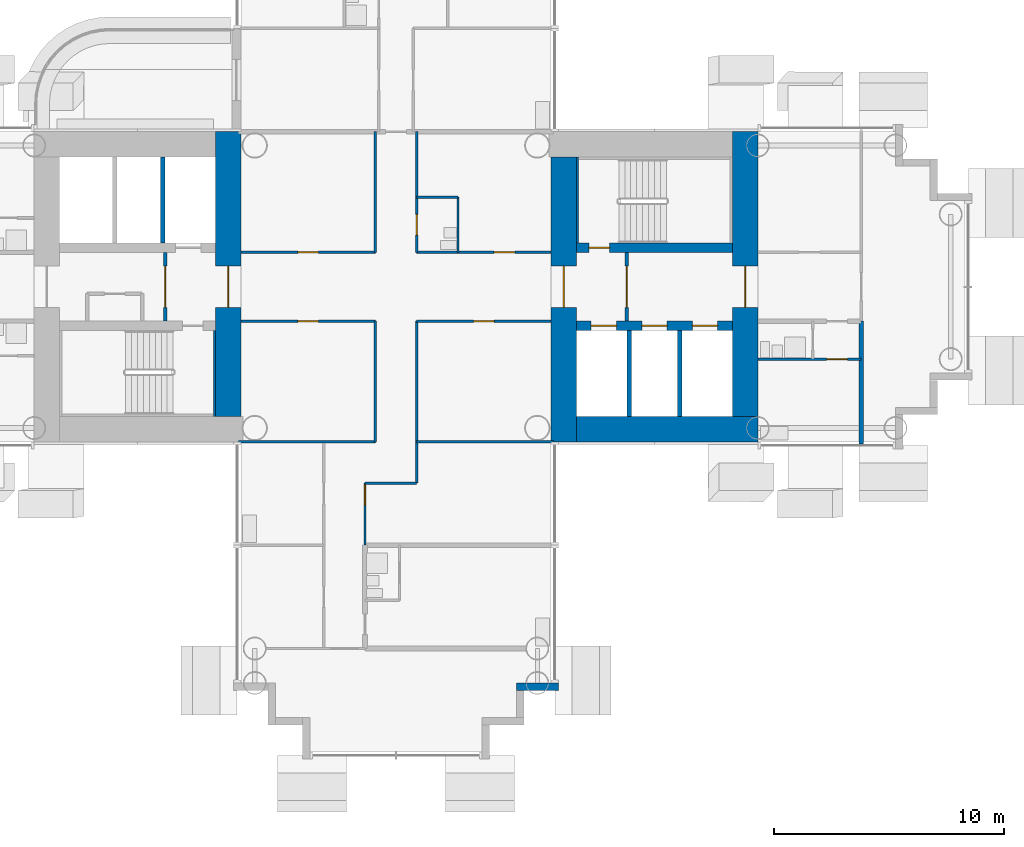
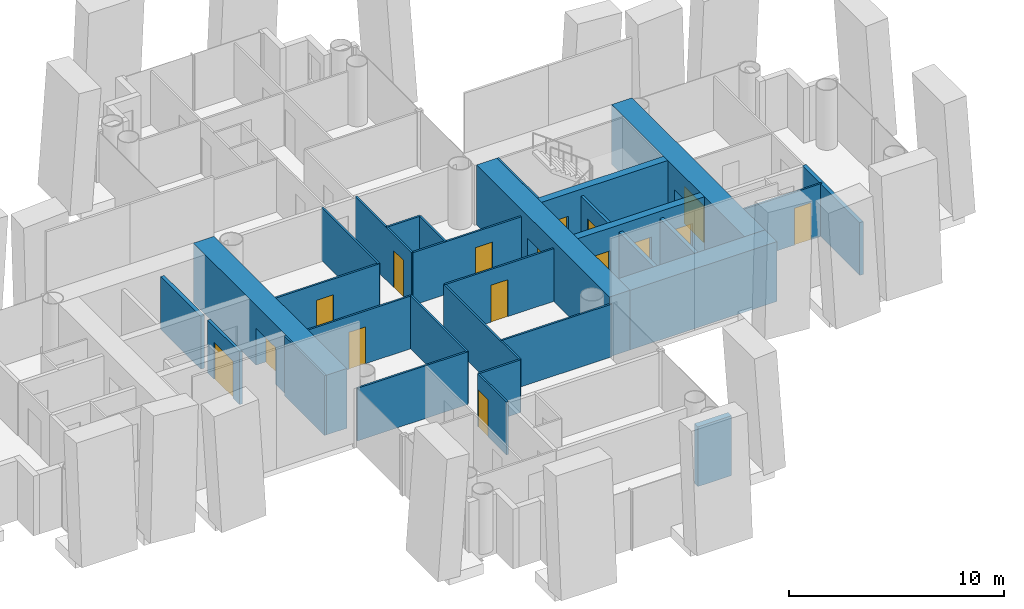
# One storey, part 11 of 25: 30 walls, 16 doors, 16 openings.
"""IFC4 building model written with IfcOpenShell, lengths in metres."""

from ifc_helpers import new_model, si_unit, direction, frame, frame_2d, origin, place, context, subcontext, project, spatial, rectangle, extrude, material, layer, layer_set, type_object, element, fill, save


model = new_model("IFC4")

# Units and contexts
model_context = context("Model", 3, precision=1e-05, world=origin(), true_north=direction((0.0, 1.0)))
body_context = subcontext(model_context, "Body", "Model", "MODEL_VIEW")
ifc_project = project(units=[si_unit("LENGTHUNIT", "METRE"), si_unit("AREAUNIT", "SQUARE_METRE"), si_unit("VOLUMEUNIT", "CUBIC_METRE"), si_unit("PLANEANGLEUNIT", "RADIAN"), si_unit("MASSUNIT", "GRAM", prefix="KILO")], contexts=[model_context])

# Site, building, storey
site_placement = place(None, origin())
site = spatial("IfcSite", under=ifc_project, at=site_placement, CompositionType="ELEMENT")
building_placement = place(site_placement, origin())
building = spatial("IfcBuilding", under=site, at=building_placement, Name="Ipe Terrace Towers", CompositionType="ELEMENT")
storey_placement = place(building_placement, frame((0.0, 0.0, 31.300048828125)))
storey = spatial("IfcBuildingStorey", under=building, at=storey_placement, Name="L07", CompositionType="ELEMENT", Elevation=31.300048828125)

# Wall
ifc_material_1 = material(Name="Concrete C40/50 with buff precast cladding", Category="concrete")
ifc_layer_1 = layer(ifc_material_1, 0.320068359375)
ifc_layer_set_1 = layer_set([ifc_layer_1], Name="BUFF CLADDING WALL 320")
wall_type_1 = type_object("IfcWallType", Name="BUFF CLADDING WALL 320", PredefinedType="STANDARD", material=ifc_layer_set_1)
wall_1_placement = place(storey_placement, frame((-30.75, -17.409912109375, -0.300048828125), z_axis=(0.0, 0.0, 1.0), x_axis=(1.0, 0.0, 0.0)))
element("IfcWall", 1, at=wall_1_placement, inside=storey, type_object=wall_type_1, Name="T1-W-L07-16a wall", PredefinedType="STANDARD", context=body_context, shape_type="SweptSolid", body=[
    extrude(rectangle(XDim=1.820068359375, YDim=0.320068359375, at=frame_2d((0.91015625, 0.0))), origin(), (0.0, 0.0, 1.0), 3.39990234375),
])

# Wall, opening, door
ifc_material_2 = material(Name="Gypsum board partition", Category="plasterboard")
ifc_layer_2 = layer(ifc_material_2, 0.10009765625)
ifc_layer_set_2 = layer_set([ifc_layer_2], Name="Gypsum board partition 100 mm")
wall_type_2 = type_object("IfcWallType", Name="Gypsum board partition 100 mm", PredefinedType="PARTITIONING", material=ifc_layer_set_2)
wall_2_placement = place(storey_placement, frame((-37.35009765625, -11.25, 0.0), z_axis=(0.0, 0.0, 1.0), x_axis=(0.0, 1.0, 0.0)))
wall_2 = element("IfcWall", 2, at=wall_2_placement, inside=storey, type_object=wall_type_2, Name="Gypsum board partition T1 L07 W08", PredefinedType="PARTITIONING", context=body_context, shape_type="SweptSolid", body=[
    extrude(rectangle(XDim=2.699951171875, YDim=0.10009765625, at=frame_2d((1.35009765625, 0.0))), origin(), (0.0, 0.0, 1.0), 3.0),
])
opening_1_placement = place(wall_2_placement, frame((1.72998046875, 0.0, 0.0)))
opening_1 = element("IfcOpeningElement", 3, at=opening_1_placement, cuts=wall_2, Name="Opening T1-Z1A-16", PredefinedType="OPENING", context=body_context, shape_type="SweptSolid", body=[
    extrude(rectangle(XDim=0.89990234375, YDim=2.10009765625, at=frame_2d((0.449951171875, 1.050048828125))), frame((0.0, 0.06005859375, 0.0), z_axis=(0.0, -1.0, 0.0), x_axis=(1.0, 0.0, 0.0)), (0.0, 0.0, 1.0), 0.1201171875),
])
ifc_material_3 = material(Name="Timber door leaf", Category="wood")
door_type_1 = type_object("IfcDoorType", Name="Lounge door 900 x 2100", OperationType="NOTDEFINED", PredefinedType="DOOR", material=ifc_material_3)
door_1_placement = place(opening_1_placement, origin())
door_1 = element("IfcDoor", 4, at=door_1_placement, inside=storey, type_object=door_type_1, Name="Lounge door T1-Z1A-16", OperationType="SINGLE_SWING_RIGHT", OverallHeight=2.10009765625, OverallWidth=0.89990234375, PredefinedType="DOOR", context=body_context, shape_type="SweptSolid", body=[
    extrude(rectangle(XDim=0.89990234375, YDim=2.10009765625, at=frame_2d((0.449951171875, 1.050048828125))), frame((0.0, 0.02490234375, 0.0), z_axis=(0.0, -1.0, 0.0), x_axis=(1.0, 0.0, 0.0)), (0.0, 0.0, 1.0), 0.050048828125),
])
fill(opening_1, door_1)

# Walls
for number, where, z_axis, x_axis, name in (
    (5, (-36.89990234375, -6.75, 0.0), (0.0, 0.0, 1.0), (0.0, 1.0, 0.0), "Gypsum board partition T1 L07 W10"),
    (6, (-36.89990234375, 1.5, 0.0), (0.0, 0.0, 1.0), (0.0, 1.0, 0.0), "Gypsum board partition T1 L07 W11"),
):
    element("IfcWall", number, at=place(storey_placement, frame(where, z_axis=z_axis, x_axis=x_axis)), inside=storey, type_object=wall_type_2, Name=name, PredefinedType="PARTITIONING", context=body_context, shape_type="SweptSolid", body=[
        extrude(rectangle(XDim=5.25, YDim=0.10009765625, at=frame_2d((2.625, 0.0))), origin(), (0.0, 0.0, 1.0), 3.0),
    ])
wall_3_placement = place(storey_placement, frame((-35.10009765625, -8.550048828125, 0.0), z_axis=(0.0, 0.0, 1.0), x_axis=(0.0, 1.0, 0.0)))
element("IfcWall", 7, at=wall_3_placement, inside=storey, type_object=wall_type_2, Name="Gypsum board partition T1 L07 W15", PredefinedType="PARTITIONING", context=body_context, shape_type="SweptSolid", body=[
    extrude(rectangle(XDim=7.050048828125, YDim=0.10009765625, at=frame_2d((3.52490234375, 0.0))), origin(), (0.0, 0.0, 1.0), 3.0),
])

# Wall, opening, door
wall_4_placement = place(storey_placement, frame((-35.10009765625, 1.5, 0.0), z_axis=(0.0, 0.0, 1.0), x_axis=(0.0, 1.0, 0.0)))
wall_4 = element("IfcWall", 8, at=wall_4_placement, inside=storey, type_object=wall_type_2, Name="Gypsum board partition T1 L07 W16", PredefinedType="PARTITIONING", context=body_context, shape_type="SweptSolid", body=[
    extrude(rectangle(XDim=5.25, YDim=0.10009765625, at=frame_2d((2.625, 0.0))), origin(), (0.0, 0.0, 1.0), 3.0),
])
opening_2_placement = place(wall_4_placement, frame((0.75, 0.0, 0.0)))
opening_2 = element("IfcOpeningElement", 9, at=opening_2_placement, cuts=wall_4, Name="Opening T1-Z1A-01", PredefinedType="OPENING", context=body_context, shape_type="SweptSolid", body=[
    extrude(rectangle(XDim=0.89990234375, YDim=2.10009765625, at=frame_2d((0.449951171875, 1.050048828125))), frame((0.0, 0.06005859375, 0.0), z_axis=(0.0, -1.0, 0.0), x_axis=(1.0, 0.0, 0.0)), (0.0, 0.0, 1.0), 0.1201171875),
])
ifc_material_4 = material(Name="Timber door leaf", Category="wood")
door_type_2 = type_object("IfcDoorType", Name="Bathroom door 900 x 2100", OperationType="NOTDEFINED", PredefinedType="DOOR", material=ifc_material_4)
door_2_placement = place(opening_2_placement, origin())
door_2 = element("IfcDoor", 10, at=door_2_placement, inside=storey, type_object=door_type_2, Name="Bathroom door T1-Z1A-01", OperationType="SINGLE_SWING_LEFT", OverallHeight=2.10009765625, OverallWidth=0.89990234375, PredefinedType="DOOR", context=body_context, shape_type="SweptSolid", body=[
    extrude(rectangle(XDim=0.89990234375, YDim=2.10009765625, at=frame_2d((0.449951171875, 1.050048828125))), frame((0.0, 0.02490234375, 0.0), z_axis=(0.0, -1.0, 0.0), x_axis=(1.0, 0.0, 0.0)), (0.0, 0.0, 1.0), 0.050048828125),
])
fill(opening_2, door_2)

# Walls
wall_5_placement = place(storey_placement, frame((-33.300048828125, 1.5, 0.0), z_axis=(0.0, 0.0, 1.0), x_axis=(0.0, 1.0, 0.0)))
element("IfcWall", 11, at=wall_5_placement, inside=storey, type_object=wall_type_2, Name="Gypsum board partition T1 L07 W18", PredefinedType="PARTITIONING", context=body_context, shape_type="SweptSolid", body=[
    extrude(rectangle(XDim=2.39990234375, YDim=0.10009765625, at=frame_2d((1.199951171875, 0.0))), origin(), (0.0, 0.0, 1.0), 3.0),
])
wall_6_placement = place(storey_placement, frame((-37.35009765625, -8.550048828125, 0.0), z_axis=(0.0, 0.0, 1.0), x_axis=(1.0, 0.0, 0.0)))
element("IfcWall", 12, at=wall_6_placement, inside=storey, type_object=wall_type_2, Name="Gypsum board partition T1 L07 W27", PredefinedType="PARTITIONING", context=body_context, shape_type="SweptSolid", body=[
    extrude(rectangle(XDim=2.25, YDim=0.10009765625, at=frame_2d((1.125, 0.0))), origin(), (0.0, 0.0, 1.0), 3.0),
])
for number, where, z_axis, x_axis, name in (
    (13, (-42.85009765625, -6.75, 0.0), (0.0, 0.0, 1.0), (1.0, 0.0, 0.0), "Gypsum board partition T1 L07 W28"),
    (14, (-35.10009765625, -6.75, 0.0), (0.0, 0.0, 1.0), (1.0, 0.0, 0.0), "Gypsum board partition T1 L07 W29"),
):
    element("IfcWall", number, at=place(storey_placement, frame(where, z_axis=z_axis, x_axis=x_axis)), inside=storey, type_object=wall_type_2, Name=name, PredefinedType="PARTITIONING", context=body_context, shape_type="SweptSolid", body=[
        extrude(rectangle(XDim=5.9501953125, YDim=0.10009765625, at=frame_2d((2.97509765625, 0.0))), origin(), (0.0, 0.0, 1.0), 3.0),
    ])

# Wall, opening, door
wall_7_placement = place(storey_placement, frame((-20.25, -3.14990234375, 0.0), z_axis=(0.0, 0.0, 1.0), x_axis=(1.0, 0.0, 0.0)))
wall_7 = element("IfcWall", 15, at=wall_7_placement, inside=storey, type_object=wall_type_2, Name="Gypsum board partition T1 L07 W30", PredefinedType="PARTITIONING", context=body_context, shape_type="SweptSolid", body=[
    extrude(rectangle(XDim=4.5, YDim=0.10009765625, at=frame_2d((2.25, 0.0))), origin(), (0.0, 0.0, 1.0), 3.0),
])
opening_3_placement = place(wall_7_placement, frame((3.0, 0.0, 0.0)))
opening_3 = element("IfcOpeningElement", 16, at=opening_3_placement, cuts=wall_7, Name="Opening T1-Z1A-24", PredefinedType="OPENING", context=body_context, shape_type="SweptSolid", body=[
    extrude(rectangle(XDim=0.89990234375, YDim=2.10009765625, at=frame_2d((0.449951171875, 1.050048828125))), frame((0.0, 0.06005859375, 0.0), z_axis=(0.0, -1.0, 0.0), x_axis=(1.0, 0.0, 0.0)), (0.0, 0.0, 1.0), 0.1201171875),
])
ifc_material_5 = material(Name="Timber door leaf", Category="wood")
door_type_3 = type_object("IfcDoorType", Name="Bedroom door 900 x 2100", OperationType="NOTDEFINED", PredefinedType="DOOR", material=ifc_material_5)
door_3_placement = place(opening_3_placement, origin())
door_3 = element("IfcDoor", 17, at=door_3_placement, inside=storey, type_object=door_type_3, Name="Bedroom door T1-Z1A-24", OperationType="SINGLE_SWING_RIGHT", OverallHeight=2.10009765625, OverallWidth=0.89990234375, PredefinedType="DOOR", context=body_context, shape_type="SweptSolid", body=[
    extrude(rectangle(XDim=0.89990234375, YDim=2.10009765625, at=frame_2d((0.449951171875, 1.050048828125))), frame((0.0, 0.02490234375, 0.0), z_axis=(0.0, -1.0, 0.0), x_axis=(1.0, 0.0, 0.0)), (0.0, 0.0, 1.0), 0.050048828125),
])
fill(opening_3, door_3)

wall_8_placement = place(storey_placement, frame((-42.75, -1.5, 0.0), z_axis=(0.0, 0.0, 1.0), x_axis=(1.0, 0.0, 0.0)))
wall_8 = element("IfcWall", 18, at=wall_8_placement, inside=storey, type_object=wall_type_2, Name="Gypsum board partition T1 L07 W32", PredefinedType="PARTITIONING", context=body_context, shape_type="SweptSolid", body=[
    extrude(rectangle(XDim=5.85009765625, YDim=0.10009765625, at=frame_2d((2.925048828125, 0.0))), origin(), (0.0, 0.0, 1.0), 3.0),
])
opening_4_placement = place(wall_8_placement, frame((2.47509765625, 0.0, 0.0)))
opening_4 = element("IfcOpeningElement", 19, at=opening_4_placement, cuts=wall_8, Name="Opening T1-Z1A-04", PredefinedType="OPENING", context=body_context, shape_type="SweptSolid", body=[
    extrude(rectangle(XDim=0.89990234375, YDim=2.10009765625, at=frame_2d((0.449951171875, 1.050048828125))), frame((0.0, 0.06005859375, 0.0), z_axis=(0.0, -1.0, 0.0), x_axis=(1.0, 0.0, 0.0)), (0.0, 0.0, 1.0), 0.1201171875),
])
door_4_placement = place(opening_4_placement, origin())
door_4 = element("IfcDoor", 20, at=door_4_placement, inside=storey, type_object=door_type_1, Name="Lounge door T1-Z1A-04", OperationType="SINGLE_SWING_LEFT", OverallHeight=2.10009765625, OverallWidth=0.89990234375, PredefinedType="DOOR", context=body_context, shape_type="SweptSolid", body=[
    extrude(rectangle(XDim=0.89990234375, YDim=2.10009765625, at=frame_2d((0.449951171875, 1.050048828125))), frame((0.0, 0.02490234375, 0.0), z_axis=(0.0, -1.0, 0.0), x_axis=(1.0, 0.0, 0.0)), (0.0, 0.0, 1.0), 0.050048828125),
])
fill(opening_4, door_4)

wall_9_placement = place(storey_placement, frame((-35.10009765625, -1.5, 0.0), z_axis=(0.0, 0.0, 1.0), x_axis=(1.0, 0.0, 0.0)))
wall_9 = element("IfcWall", 21, at=wall_9_placement, inside=storey, type_object=wall_type_2, Name="Gypsum board partition T1 L07 W33", PredefinedType="PARTITIONING", context=body_context, shape_type="SweptSolid", body=[
    extrude(rectangle(XDim=5.85009765625, YDim=0.10009765625, at=frame_2d((2.925048828125, 0.0))), origin(), (0.0, 0.0, 1.0), 3.0),
])
opening_5_placement = place(wall_9_placement, frame((2.47509765625, 0.0, 0.0)))
opening_5 = element("IfcOpeningElement", 22, at=opening_5_placement, cuts=wall_9, Name="Opening T1-Z1A-05", PredefinedType="OPENING", context=body_context, shape_type="SweptSolid", body=[
    extrude(rectangle(XDim=0.89990234375, YDim=2.10009765625, at=frame_2d((0.449951171875, 1.050048828125))), frame((0.0, 0.06005859375, 0.0), z_axis=(0.0, -1.0, 0.0), x_axis=(1.0, 0.0, 0.0)), (0.0, 0.0, 1.0), 0.1201171875),
])
door_5_placement = place(opening_5_placement, origin())
door_5 = element("IfcDoor", 23, at=door_5_placement, inside=storey, type_object=door_type_1, Name="Lounge door T1-Z1A-05", OperationType="SINGLE_SWING_RIGHT", OverallHeight=2.10009765625, OverallWidth=0.89990234375, PredefinedType="DOOR", context=body_context, shape_type="SweptSolid", body=[
    extrude(rectangle(XDim=0.89990234375, YDim=2.10009765625, at=frame_2d((0.449951171875, 1.050048828125))), frame((0.0, 0.02490234375, 0.0), z_axis=(0.0, -1.0, 0.0), x_axis=(1.0, 0.0, 0.0)), (0.0, 0.0, 1.0), 0.050048828125),
])
fill(opening_5, door_5)

wall_10_placement = place(storey_placement, frame((-42.75, 1.5, 0.0), z_axis=(0.0, 0.0, 1.0), x_axis=(1.0, 0.0, 0.0)))
wall_10 = element("IfcWall", 24, at=wall_10_placement, inside=storey, type_object=wall_type_2, Name="Gypsum board partition T1 L07 W36", PredefinedType="PARTITIONING", context=body_context, shape_type="SweptSolid", body=[
    extrude(rectangle(XDim=5.85009765625, YDim=0.10009765625, at=frame_2d((2.925048828125, 0.0))), origin(), (0.0, 0.0, 1.0), 3.0),
])
opening_6_placement = place(wall_10_placement, frame((2.47509765625, 0.0, 0.0)))
opening_6 = element("IfcOpeningElement", 25, at=opening_6_placement, cuts=wall_10, Name="Opening T1-Z1A-03", PredefinedType="OPENING", context=body_context, shape_type="SweptSolid", body=[
    extrude(rectangle(XDim=0.89990234375, YDim=2.10009765625, at=frame_2d((0.449951171875, 1.050048828125))), frame((0.0, 0.06005859375, 0.0), z_axis=(0.0, -1.0, 0.0), x_axis=(1.0, 0.0, 0.0)), (0.0, 0.0, 1.0), 0.1201171875),
])
door_6_placement = place(opening_6_placement, origin())
door_6 = element("IfcDoor", 26, at=door_6_placement, inside=storey, type_object=door_type_1, Name="Lounge door T1-Z1A-03", OperationType="SINGLE_SWING_RIGHT", OverallHeight=2.10009765625, OverallWidth=0.89990234375, PredefinedType="DOOR", context=body_context, shape_type="SweptSolid", body=[
    extrude(rectangle(XDim=0.89990234375, YDim=2.10009765625, at=frame_2d((0.449951171875, 1.050048828125))), frame((0.0, 0.02490234375, 0.0), z_axis=(0.0, -1.0, 0.0), x_axis=(1.0, 0.0, 0.0)), (0.0, 0.0, 1.0), 0.050048828125),
])
fill(opening_6, door_6)

wall_11_placement = place(storey_placement, frame((-35.10009765625, 1.5, 0.0), z_axis=(0.0, 0.0, 1.0), x_axis=(1.0, 0.0, 0.0)))
wall_11 = element("IfcWall", 27, at=wall_11_placement, inside=storey, type_object=wall_type_2, Name="Gypsum board partition T1 L07 W37", PredefinedType="PARTITIONING", context=body_context, shape_type="SweptSolid", body=[
    extrude(rectangle(XDim=5.85009765625, YDim=0.10009765625, at=frame_2d((2.925048828125, 0.0))), origin(), (0.0, 0.0, 1.0), 3.0),
])
opening_7_placement = place(wall_11_placement, frame((3.375, 0.0, 0.0)))
opening_7 = element("IfcOpeningElement", 28, at=opening_7_placement, cuts=wall_11, Name="Opening T1-Z1A-02", PredefinedType="OPENING", context=body_context, shape_type="SweptSolid", body=[
    extrude(rectangle(XDim=0.89990234375, YDim=2.10009765625, at=frame_2d((0.449951171875, 1.050048828125))), frame((0.0, 0.06005859375, 0.0), z_axis=(0.0, -1.0, 0.0), x_axis=(1.0, 0.0, 0.0)), (0.0, 0.0, 1.0), 0.1201171875),
])
door_7_placement = place(opening_7_placement, origin())
door_7 = element("IfcDoor", 29, at=door_7_placement, inside=storey, type_object=door_type_1, Name="Lounge door T1-Z1A-02", OperationType="SINGLE_SWING_LEFT", OverallHeight=2.10009765625, OverallWidth=0.89990234375, PredefinedType="DOOR", context=body_context, shape_type="SweptSolid", body=[
    extrude(rectangle(XDim=0.89990234375, YDim=2.10009765625, at=frame_2d((0.449951171875, 1.050048828125))), frame((0.0, 0.02490234375, 0.0), z_axis=(0.0, -1.0, 0.0), x_axis=(1.0, 0.0, 0.0)), (0.0, 0.0, 1.0), 0.050048828125),
])
fill(opening_7, door_7)

# Wall
wall_12_placement = place(storey_placement, frame((-35.10009765625, 3.89990234375, 0.0), z_axis=(0.0, 0.0, 1.0), x_axis=(1.0, 0.0, 0.0)))
element("IfcWall", 30, at=wall_12_placement, inside=storey, type_object=wall_type_2, Name="Gypsum board partition T1 L07 W41", PredefinedType="PARTITIONING", context=body_context, shape_type="SweptSolid", body=[
    extrude(rectangle(XDim=1.800048828125, YDim=0.10009765625, at=frame_2d((0.89990234375, 0.0))), origin(), (0.0, 0.0, 1.0), 3.0),
])

# Wall, opening, door
ifc_material_6 = material(Name="Gypsum board partition", Category="plasterboard")
ifc_layer_3 = layer(ifc_material_6, 0.14990234375)
ifc_layer_set_3 = layer_set([ifc_layer_3], Name="Gypsum board partition 150 mm")
wall_type_3 = type_object("IfcWallType", Name="Gypsum board partition 150 mm", PredefinedType="PARTITIONING", material=ifc_layer_set_3)
wall_13_placement = place(storey_placement, frame((-25.949951171875, -1.5, 0.0), z_axis=(0.0, 0.0, 1.0), x_axis=(0.0, 1.0, 0.0)))
wall_13 = element("IfcWall", 31, at=wall_13_placement, inside=storey, type_object=wall_type_3, Name="Gypsum board partition T1 L07 t1c1-lobby-wall", PredefinedType="PARTITIONING", context=body_context, shape_type="SweptSolid", body=[
    extrude(rectangle(XDim=3.0, YDim=0.14990234375, at=frame_2d((1.5, 0.0))), origin(), (0.0, 0.0, 1.0), 3.0),
])
opening_8_placement = place(wall_13_placement, frame((0.60009765625, 0.0, 0.0)))
opening_8 = element("IfcOpeningElement", 32, at=opening_8_placement, cuts=wall_13, Name="Opening T1C1-VD", PredefinedType="OPENING", context=body_context, shape_type="SweptSolid", body=[
    extrude(rectangle(XDim=1.800048828125, YDim=2.10009765625, at=frame_2d((0.89990234375, 1.050048828125))), frame((0.0, 0.0849609375, 0.0), z_axis=(0.0, -1.0, 0.0), x_axis=(1.0, 0.0, 0.0)), (0.0, 0.0, 1.0), 0.169921875),
])
ifc_material_7 = material(Name="Fire-rated timber door leaf", Category="wood")
door_type_4 = type_object("IfcDoorType", Name="Lobby door 1800 x 2100 FD60", OperationType="NOTDEFINED", PredefinedType="DOOR", material=ifc_material_7)
door_8_placement = place(opening_8_placement, origin())
door_8 = element("IfcDoor", 33, at=door_8_placement, inside=storey, type_object=door_type_4, Name="Lobby door T1C1-VD", OperationType="SINGLE_SWING_LEFT", OverallHeight=2.10009765625, OverallWidth=1.800048828125, PredefinedType="DOOR", context=body_context, shape_type="SweptSolid", body=[
    extrude(rectangle(XDim=1.800048828125, YDim=2.10009765625, at=frame_2d((0.89990234375, 1.050048828125))), frame((0.0, 0.02490234375, 0.0), z_axis=(0.0, -1.0, 0.0), x_axis=(1.0, 0.0, 0.0)), (0.0, 0.0, 1.0), 0.050048828125),
])
fill(opening_8, door_8)

wall_14_placement = place(storey_placement, frame((-46.050048828125, 1.5, 0.0), z_axis=(0.0, 0.0, 1.0), x_axis=(0.0, -1.0, 0.0)))
wall_14 = element("IfcWall", 34, at=wall_14_placement, inside=storey, type_object=wall_type_3, Name="Gypsum board partition T1 L07 t1c2-lobby-wall", PredefinedType="PARTITIONING", context=body_context, shape_type="SweptSolid", body=[
    extrude(rectangle(XDim=3.0, YDim=0.14990234375, at=frame_2d((1.5, 0.0))), origin(), (0.0, 0.0, 1.0), 3.0),
])
opening_9_placement = place(wall_14_placement, frame((0.60009765625, 0.0, 0.0)))
opening_9 = element("IfcOpeningElement", 35, at=opening_9_placement, cuts=wall_14, Name="Opening T1C2-VD", PredefinedType="OPENING", context=body_context, shape_type="SweptSolid", body=[
    extrude(rectangle(XDim=1.800048828125, YDim=2.10009765625, at=frame_2d((0.89990234375, 1.050048828125))), frame((0.0, 0.0849609375, 0.0), z_axis=(0.0, -1.0, 0.0), x_axis=(1.0, 0.0, 0.0)), (0.0, 0.0, 1.0), 0.169921875),
])
door_9_placement = place(opening_9_placement, origin())
door_9 = element("IfcDoor", 36, at=door_9_placement, inside=storey, type_object=door_type_4, Name="Lobby door T1C2-VD", OperationType="SINGLE_SWING_LEFT", OverallHeight=2.10009765625, OverallWidth=1.800048828125, PredefinedType="DOOR", context=body_context, shape_type="SweptSolid", body=[
    extrude(rectangle(XDim=1.800048828125, YDim=2.10009765625, at=frame_2d((0.89990234375, 1.050048828125))), frame((0.0, 0.02490234375, 0.0), z_axis=(0.0, -1.0, 0.0), x_axis=(1.0, 0.0, 0.0)), (0.0, 0.0, 1.0), 0.050048828125),
])
fill(opening_9, door_9)

# Walls
ifc_material_8 = material(Name="Gypsum board party wall", Category="plasterboard")
ifc_layer_4 = layer(ifc_material_8, 0.199951171875)
ifc_layer_set_4 = layer_set([ifc_layer_4], Name="Gypsum board party wall 200 mm")
wall_type_4 = type_object("IfcWallType", Name="Gypsum board party wall 200 mm", PredefinedType="SOLIDWALL", material=ifc_layer_set_4)
for number, where, z_axis, x_axis, name in (
    (37, (-25.85009765625, -5.64990234375, 0.0), (0.0, 0.0, 1.0), (0.0, 1.0, 0.0), "Gypsum board party wall T1 L07 t1c1-shaft-div1"),
    (38, (-23.64990234375, -5.64990234375, 0.0), (0.0, 0.0, 1.0), (0.0, 1.0, 0.0), "Gypsum board party wall T1 L07 t1c1-shaft-div2"),
    (39, (-46.14990234375, 5.64990234375, 0.0), (0.0, 0.0, 1.0), (0.0, -1.0, 0.0), "Gypsum board party wall T1 L07 t1c2-shaft-div1"),
):
    element("IfcWall", number, at=place(storey_placement, frame(where, z_axis=z_axis, x_axis=x_axis)), inside=storey, type_object=wall_type_4, Name=name, PredefinedType="SOLIDWALL", context=body_context, shape_type="SweptSolid", body=[
        extrude(rectangle(XDim=3.75, YDim=0.199951171875, at=frame_2d((1.875, 0.0))), origin(), (0.0, 0.0, 1.0), 3.0),
    ])
wall_15_placement = place(storey_placement, frame((-15.75, -6.85009765625, 0.0), z_axis=(0.0, 0.0, 1.0), x_axis=(0.0, 1.0, 0.0)))
element("IfcWall", 40, at=wall_15_placement, inside=storey, type_object=wall_type_4, Name="Gypsum board party wall T1 L07 W21", PredefinedType="SOLIDWALL", context=body_context, shape_type="SweptSolid", body=[
    extrude(rectangle(XDim=5.35009765625, YDim=0.199951171875, at=frame_2d((2.675048828125, 0.0))), origin(), (0.0, 0.0, 1.0), 3.0),
])
ifc_material_9 = material(Name="Concrete C60/75", Category="concrete")
ifc_layer_5 = layer(ifc_material_9, 0.10009765625)
ifc_layer_set_5 = layer_set([ifc_layer_5], Name="RW100 CORE INFILL WALL 100 C60-75")
wall_type_5 = type_object("IfcWallType", Name="RW100 CORE INFILL WALL 100 C60-75", PredefinedType="SHEAR", material=ifc_layer_set_5)
for number, where, z_axis, x_axis, name in (
    (41, (-28.10009765625, 1.89990234375, 0.0), (0.0, 0.0, 1.0), (0.0, 1.0, 0.0), "Core infill wall T1-C1-near"),
    (42, (-43.89990234375, -1.89990234375, 0.0), (0.0, 0.0, 1.0), (0.0, -1.0, 0.0), "Core infill wall T1-C2-near"),
):
    element("IfcWall", number, at=place(storey_placement, frame(where, z_axis=z_axis, x_axis=x_axis)), inside=storey, type_object=wall_type_5, Name=name, PredefinedType="SHEAR", context=body_context, shape_type="SweptSolid", body=[
        extrude(rectangle(XDim=3.75, YDim=0.10009765625, at=frame_2d((1.875, 0.0))), origin(), (0.0, 0.0, 1.0), 3.39990234375),
    ])
ifc_material_10 = material(Name="Concrete C60/75", Category="concrete")
ifc_layer_6 = layer(ifc_material_10, 1.10009765625)
ifc_layer_set_6 = layer_set([ifc_layer_6], Name="RW1100 CORE WALL 1100 C60-75")
wall_type_6 = type_object("IfcWallType", Name="RW1100 CORE WALL 1100 C60-75", PredefinedType="SHEAR", material=ifc_layer_set_6)
wall_16_placement = place(storey_placement, frame((-28.14990234375, -6.199951171875, 0.0), z_axis=(0.0, 0.0, 1.0), x_axis=(1.0, 0.0, 0.0)))
element("IfcWall", 43, at=wall_16_placement, inside=storey, type_object=wall_type_6, Name="Core wall T1-C1-Z1-W01", PredefinedType="SHEAR", context=body_context, shape_type="SweptSolid", body=[
    extrude(rectangle(XDim=7.89990234375, YDim=1.10009765625, at=frame_2d((3.949951171875, 0.0))), origin(), (0.0, 0.0, 1.0), 3.39990234375),
])

# Wall, opening, door
wall_17_placement = place(storey_placement, frame((-20.800048828125, -5.64990234375, 0.0), z_axis=(0.0, 0.0, 1.0), x_axis=(0.0, 1.0, 0.0)))
wall_17 = element("IfcWall", 44, at=wall_17_placement, inside=storey, type_object=wall_type_6, Name="Core wall T1-C1-Z1-W02", PredefinedType="SHEAR", context=body_context, shape_type="SweptSolid", body=[
    extrude(rectangle(XDim=12.39990234375, YDim=1.10009765625, at=frame_2d((6.199951171875, 0.0))), origin(), (0.0, 0.0, 1.0), 3.39990234375),
])
opening_10_placement = place(wall_17_placement, frame((4.75, 0.0, 0.0)))
opening_10 = element("IfcOpeningElement", 45, at=opening_10_placement, cuts=wall_17, Name="Opening T1C1-FD", PredefinedType="OPENING", context=body_context, shape_type="SweptSolid", body=[
    extrude(rectangle(XDim=1.800048828125, YDim=2.10009765625, at=frame_2d((0.89990234375, 1.050048828125))), frame((0.0, 0.56005859375, 0.0), z_axis=(0.0, -1.0, 0.0), x_axis=(1.0, 0.0, 0.0)), (0.0, 0.0, 1.0), 1.1201171875),
])
ifc_material_11 = material(Name="Fire-rated timber door leaf", Category="wood")
door_type_5 = type_object("IfcDoorType", Name="Fire door 1800 x 2100 FD30S", OperationType="NOTDEFINED", PredefinedType="DOOR", material=ifc_material_11)
door_10_placement = place(opening_10_placement, origin())
door_10 = element("IfcDoor", 46, at=door_10_placement, inside=storey, type_object=door_type_5, Name="Fire door T1C1-FD", OperationType="SINGLE_SWING_LEFT", OverallHeight=2.10009765625, OverallWidth=1.800048828125, PredefinedType="DOOR", context=body_context, shape_type="SweptSolid", body=[
    extrude(rectangle(XDim=1.800048828125, YDim=2.10009765625, at=frame_2d((0.89990234375, 1.050048828125))), frame((0.0, 0.02490234375, 0.0), z_axis=(0.0, -1.0, 0.0), x_axis=(1.0, 0.0, 0.0)), (0.0, 0.0, 1.0), 0.050048828125),
])
fill(opening_10, door_10)

wall_18_placement = place(storey_placement, frame((-28.699951171875, 5.64990234375, 0.0), z_axis=(0.0, 0.0, 1.0), x_axis=(0.0, -1.0, 0.0)))
wall_18 = element("IfcWall", 47, at=wall_18_placement, inside=storey, type_object=wall_type_6, Name="Core wall T1-C1-Z1-W04", PredefinedType="SHEAR", context=body_context, shape_type="SweptSolid", body=[
    extrude(rectangle(XDim=12.39990234375, YDim=1.10009765625, at=frame_2d((6.199951171875, 0.0))), origin(), (0.0, 0.0, 1.0), 3.39990234375),
])
opening_11_placement = place(wall_18_placement, frame((4.75, 0.0, 0.0)))
opening_11 = element("IfcOpeningElement", 48, at=opening_11_placement, cuts=wall_18, Name="Opening T1C1-ND", PredefinedType="OPENING", context=body_context, shape_type="SweptSolid", body=[
    extrude(rectangle(XDim=1.800048828125, YDim=2.10009765625, at=frame_2d((0.89990234375, 1.050048828125))), frame((0.0, 0.56005859375, 0.0), z_axis=(0.0, -1.0, 0.0), x_axis=(1.0, 0.0, 0.0)), (0.0, 0.0, 1.0), 1.1201171875),
])
door_11_placement = place(opening_11_placement, origin())
door_11 = element("IfcDoor", 49, at=door_11_placement, inside=storey, type_object=door_type_5, Name="Fire door T1C1-ND", OperationType="SINGLE_SWING_LEFT", OverallHeight=2.10009765625, OverallWidth=1.800048828125, PredefinedType="DOOR", context=body_context, shape_type="SweptSolid", body=[
    extrude(rectangle(XDim=1.800048828125, YDim=2.10009765625, at=frame_2d((0.89990234375, 1.050048828125))), frame((0.0, 0.02490234375, 0.0), z_axis=(0.0, -1.0, 0.0), x_axis=(1.0, 0.0, 0.0)), (0.0, 0.0, 1.0), 0.050048828125),
])
fill(opening_11, door_11)

wall_19_placement = place(storey_placement, frame((-43.300048828125, -5.64990234375, 0.0), z_axis=(0.0, 0.0, 1.0), x_axis=(0.0, 1.0, 0.0)))
wall_19 = element("IfcWall", 50, at=wall_19_placement, inside=storey, type_object=wall_type_6, Name="Core wall T1-C2-Z1-W02", PredefinedType="SHEAR", context=body_context, shape_type="SweptSolid", body=[
    extrude(rectangle(XDim=12.39990234375, YDim=1.10009765625, at=frame_2d((6.199951171875, 0.0))), origin(), (0.0, 0.0, 1.0), 3.39990234375),
])
opening_12_placement = place(wall_19_placement, frame((4.75, 0.0, 0.0)))
opening_12 = element("IfcOpeningElement", 51, at=opening_12_placement, cuts=wall_19, Name="Opening T1C2-ND", PredefinedType="OPENING", context=body_context, shape_type="SweptSolid", body=[
    extrude(rectangle(XDim=1.800048828125, YDim=2.10009765625, at=frame_2d((0.89990234375, 1.050048828125))), frame((0.0, 0.56005859375, 0.0), z_axis=(0.0, -1.0, 0.0), x_axis=(1.0, 0.0, 0.0)), (0.0, 0.0, 1.0), 1.1201171875),
])
door_12_placement = place(opening_12_placement, origin())
door_12 = element("IfcDoor", 52, at=door_12_placement, inside=storey, type_object=door_type_5, Name="Fire door T1C2-ND", OperationType="SINGLE_SWING_LEFT", OverallHeight=2.10009765625, OverallWidth=1.800048828125, PredefinedType="DOOR", context=body_context, shape_type="SweptSolid", body=[
    extrude(rectangle(XDim=1.800048828125, YDim=2.10009765625, at=frame_2d((0.89990234375, 1.050048828125))), frame((0.0, 0.02490234375, 0.0), z_axis=(0.0, -1.0, 0.0), x_axis=(1.0, 0.0, 0.0)), (0.0, 0.0, 1.0), 0.050048828125),
])
fill(opening_12, door_12)

# Wall, openings, doors
ifc_material_12 = material(Name="Concrete C60/75", Category="concrete")
ifc_layer_7 = layer(ifc_material_12, 0.39990234375)
ifc_layer_set_7 = layer_set([ifc_layer_7], Name="RW400 CORE SPINE WALL 400 C60-75")
wall_type_7 = type_object("IfcWallType", Name="RW400 CORE SPINE WALL 400 C60-75", PredefinedType="SHEAR", material=ifc_layer_set_7)
wall_20_placement = place(storey_placement, frame((-28.14990234375, -1.699951171875, 0.0), z_axis=(0.0, 0.0, 1.0), x_axis=(1.0, 0.0, 0.0)))
wall_20 = element("IfcWall", 53, at=wall_20_placement, inside=storey, type_object=wall_type_7, Name="Core spine wall T1-C1-Z1-SW1", PredefinedType="SHEAR", context=body_context, shape_type="SweptSolid", body=[
    extrude(rectangle(XDim=6.7998046875, YDim=0.39990234375, at=frame_2d((3.39990234375, 0.0))), origin(), (0.0, 0.0, 1.0), 3.39990234375),
])
opening_13_placement = place(wall_20_placement, frame((0.64990234375, 0.0, 0.0)))
opening_13 = element("IfcOpeningElement", 54, at=opening_13_placement, cuts=wall_20, Name="Opening T1C1-LD1", PredefinedType="OPENING", context=body_context, shape_type="SweptSolid", body=[
    extrude(rectangle(XDim=1.10009765625, YDim=2.10009765625, at=frame_2d((0.550048828125, 1.050048828125))), frame((0.0, 0.2099609375, 0.0), z_axis=(0.0, -1.0, 0.0), x_axis=(1.0, 0.0, 0.0)), (0.0, 0.0, 1.0), 0.419921875),
])
opening_14_placement = place(wall_20_placement, frame((2.85009765625, 0.0, 0.0)))
opening_14 = element("IfcOpeningElement", 55, at=opening_14_placement, cuts=wall_20, Name="Opening T1C1-LD2", PredefinedType="OPENING", context=body_context, shape_type="SweptSolid", body=[
    extrude(rectangle(XDim=1.10009765625, YDim=2.10009765625, at=frame_2d((0.550048828125, 1.050048828125))), frame((0.0, 0.2099609375, 0.0), z_axis=(0.0, -1.0, 0.0), x_axis=(1.0, 0.0, 0.0)), (0.0, 0.0, 1.0), 0.419921875),
])
opening_15_placement = place(wall_20_placement, frame((5.050048828125, 0.0, 0.0)))
opening_15 = element("IfcOpeningElement", 56, at=opening_15_placement, cuts=wall_20, Name="Opening T1C1-LD3", PredefinedType="OPENING", context=body_context, shape_type="SweptSolid", body=[
    extrude(rectangle(XDim=1.10009765625, YDim=2.10009765625, at=frame_2d((0.550048828125, 1.050048828125))), frame((0.0, 0.2099609375, 0.0), z_axis=(0.0, -1.0, 0.0), x_axis=(1.0, 0.0, 0.0)), (0.0, 0.0, 1.0), 0.419921875),
])
ifc_material_13 = material(Name="Fire-rated timber door leaf", Category="wood")
door_type_6 = type_object("IfcDoorType", Name="Sliding door 1100 x 2100 FD60", OperationType="SLIDING_TO_LEFT", PredefinedType="DOOR", material=ifc_material_13)
door_13_placement = place(opening_13_placement, origin())
door_13 = element("IfcDoor", 57, at=door_13_placement, inside=storey, type_object=door_type_6, Name="Sliding door T1C1-LD1", OperationType="SLIDING_TO_LEFT", OverallHeight=2.10009765625, OverallWidth=1.10009765625, PredefinedType="DOOR", context=body_context, shape_type="SweptSolid", body=[
    extrude(rectangle(XDim=1.10009765625, YDim=2.10009765625, at=frame_2d((0.550048828125, 1.050048828125))), frame((0.0, 0.02490234375, 0.0), z_axis=(0.0, -1.0, 0.0), x_axis=(1.0, 0.0, 0.0)), (0.0, 0.0, 1.0), 0.050048828125),
])
fill(opening_13, door_13)
door_14_placement = place(opening_14_placement, origin())
door_14 = element("IfcDoor", 58, at=door_14_placement, inside=storey, type_object=door_type_6, Name="Sliding door T1C1-LD2", OperationType="SLIDING_TO_LEFT", OverallHeight=2.10009765625, OverallWidth=1.10009765625, PredefinedType="DOOR", context=body_context, shape_type="SweptSolid", body=[
    extrude(rectangle(XDim=1.10009765625, YDim=2.10009765625, at=frame_2d((0.550048828125, 1.050048828125))), frame((0.0, 0.02490234375, 0.0), z_axis=(0.0, -1.0, 0.0), x_axis=(1.0, 0.0, 0.0)), (0.0, 0.0, 1.0), 0.050048828125),
])
fill(opening_14, door_14)
door_15_placement = place(opening_15_placement, origin())
door_15 = element("IfcDoor", 59, at=door_15_placement, inside=storey, type_object=door_type_6, Name="Sliding door T1C1-LD3", OperationType="SLIDING_TO_LEFT", OverallHeight=2.10009765625, OverallWidth=1.10009765625, PredefinedType="DOOR", context=body_context, shape_type="SweptSolid", body=[
    extrude(rectangle(XDim=1.10009765625, YDim=2.10009765625, at=frame_2d((0.550048828125, 1.050048828125))), frame((0.0, 0.02490234375, 0.0), z_axis=(0.0, -1.0, 0.0), x_axis=(1.0, 0.0, 0.0)), (0.0, 0.0, 1.0), 0.050048828125),
])
fill(opening_15, door_15)

# Wall, opening, door
wall_21_placement = place(storey_placement, frame((-28.14990234375, 1.699951171875, 0.0), z_axis=(0.0, 0.0, 1.0), x_axis=(1.0, 0.0, 0.0)))
wall_21 = element("IfcWall", 60, at=wall_21_placement, inside=storey, type_object=wall_type_7, Name="Core spine wall T1-C1-Z1-SW2", PredefinedType="SHEAR", context=body_context, shape_type="SweptSolid", body=[
    extrude(rectangle(XDim=6.7998046875, YDim=0.39990234375, at=frame_2d((3.39990234375, 0.0))), origin(), (0.0, 0.0, 1.0), 3.39990234375),
])
opening_16_placement = place(wall_21_placement, frame((0.550048828125, 0.0, 0.0)))
opening_16 = element("IfcOpeningElement", 61, at=opening_16_placement, cuts=wall_21, Name="Opening T1C1-SD", PredefinedType="OPENING", context=body_context, shape_type="SweptSolid", body=[
    extrude(rectangle(XDim=0.89990234375, YDim=2.10009765625, at=frame_2d((0.449951171875, 1.050048828125))), frame((0.0, 0.2099609375, 0.0), z_axis=(0.0, -1.0, 0.0), x_axis=(1.0, 0.0, 0.0)), (0.0, 0.0, 1.0), 0.419921875),
])
ifc_material_14 = material(Name="Fire-rated timber door leaf", Category="wood")
door_type_7 = type_object("IfcDoorType", Name="Stair door 900 x 2100 FD60", OperationType="NOTDEFINED", PredefinedType="DOOR", material=ifc_material_14)
door_16_placement = place(opening_16_placement, origin())
door_16 = element("IfcDoor", 62, at=door_16_placement, inside=storey, type_object=door_type_7, Name="Stair door T1C1-SD", OperationType="SINGLE_SWING_LEFT", OverallHeight=2.10009765625, OverallWidth=0.89990234375, PredefinedType="DOOR", context=body_context, shape_type="SweptSolid", body=[
    extrude(rectangle(XDim=0.89990234375, YDim=2.10009765625, at=frame_2d((0.449951171875, 1.050048828125))), frame((0.0, 0.02490234375, 0.0), z_axis=(0.0, -1.0, 0.0), x_axis=(1.0, 0.0, 0.0)), (0.0, 0.0, 1.0), 0.050048828125),
])
fill(opening_16, door_16)

save(model, "model.ifc")
